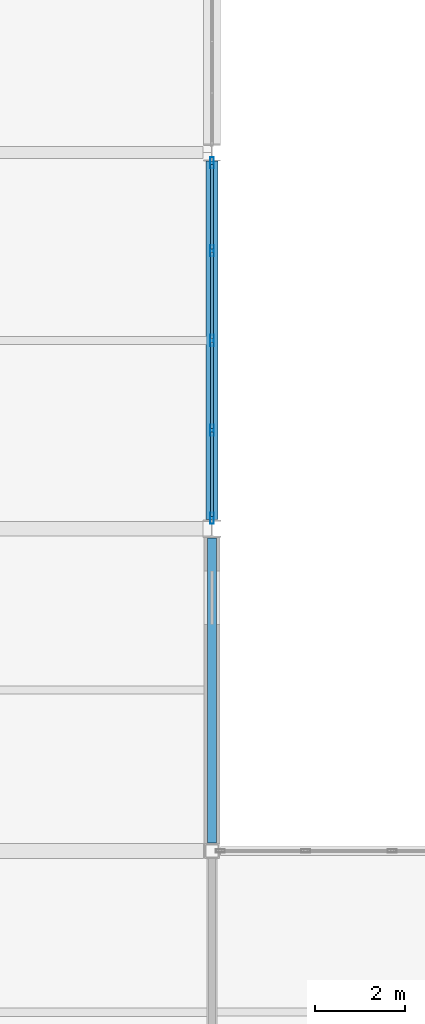
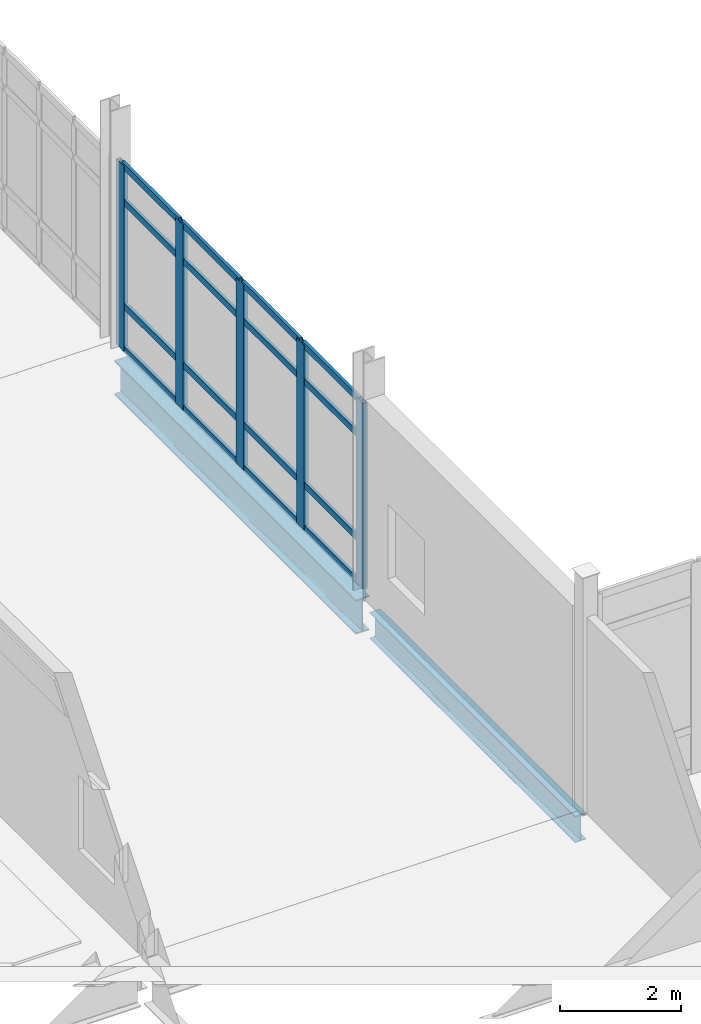
# One storey, part 51 of 186: 21 members, 2 beams, 1 element without a shape of its own.
"""IFC4 building model written with IfcOpenShell, lengths in metres."""

from ifc_helpers import new_model, si_unit, direction, frame, origin, origin_2d, place, context, subcontext, project, spatial, hollow_rectangle, i_section, extrude, material, layer, layer_set, material_profile, profile_set, type_object, element, aggregate, save


model = new_model("IFC4")

# Units and contexts
model_context = context("Model", 3, precision=1e-05, world=origin(), true_north=direction((0.0, 1.0)))
body_context = subcontext(model_context, "Body", "Model", "MODEL_VIEW")
ifc_project = project(units=[si_unit("LENGTHUNIT", "METRE"), si_unit("AREAUNIT", "SQUARE_METRE"), si_unit("VOLUMEUNIT", "CUBIC_METRE"), si_unit("PLANEANGLEUNIT", "RADIAN"), si_unit("MASSUNIT", "GRAM", prefix="KILO")], contexts=[model_context])

# Site, building, storey
site_placement = place(None, origin())
site = spatial("IfcSite", under=ifc_project, at=site_placement, CompositionType="ELEMENT")
building_placement = place(site_placement, origin())
building = spatial("IfcBuilding", under=site, at=building_placement, Name="Calvrana Isthmian Art Gallery", CompositionType="ELEMENT")
storey_placement = place(building_placement, frame((0.0, 0.0, 5.39990234375)))
storey = spatial("IfcBuildingStorey", under=building, at=storey_placement, Name="L01", CompositionType="ELEMENT", Elevation=5.39990234375)

# Beams
ifc_material_1 = material(Name="Steel ASTM A992 Gr 50", Category="steel")
ifc_material_profile_1 = material_profile(ifc_material_1, i_section(OverallWidth=0.208984375, OverallDepth=0.532958984375, WebThickness=0.01025390625, FlangeThickness=0.015625, FilletRadius=0.02099609375, at=origin_2d()), Name="W21X62")
ifc_profile_set_1 = profile_set([ifc_material_profile_1], Name="Steel ASTM A992 Gr 50")
beam_type_1 = type_object("IfcBeamType", Name="BM-G-W21X62", PredefinedType="BEAM", material=ifc_profile_set_1)
beam_1_placement = place(storey_placement, frame((80.39990234375, 14.58154296875, -0.511474609375), z_axis=(0.0, 1.0, 0.0), x_axis=(-1.0, 0.0, 0.0)))
element("IfcBeam", 1, at=beam_1_placement, inside=storey, type_object=beam_type_1, Name="Girder Y L01 11/C-D", PredefinedType="BEAM", context=body_context, shape_type="SweptSolid", body=[
    extrude(i_section(OverallWidth=0.208984375, OverallDepth=0.532958984375, WebThickness=0.01025390625, FlangeThickness=0.015625, FilletRadius=0.02099609375, at=origin_2d()), origin(), (0.0, 0.0, 1.0), 6.81005859375),
])
ifc_material_profile_2 = material_profile(ifc_material_1, i_section(OverallWidth=0.257080078125, OverallDepth=0.693115234375, WebThickness=0.014404296875, FlangeThickness=0.023681640625, FilletRadius=0.02392578125, at=origin_2d()), Name="W27X114")
ifc_profile_set_2 = profile_set([ifc_material_profile_2], Name="Steel ASTM A992 Gr 50")
beam_type_2 = type_object("IfcBeamType", Name="BM-G-W27X114", PredefinedType="BEAM", material=ifc_profile_set_2)
beam_2_placement = place(storey_placement, frame((80.39990234375, 21.80859375, -0.59130859375), z_axis=(0.0, 1.0, 0.0), x_axis=(-1.0, 0.0, 0.0)))
element("IfcBeam", 2, at=beam_2_placement, inside=storey, type_object=beam_type_2, Name="Girder Y L01 11/D-E", PredefinedType="BEAM", context=body_context, shape_type="SweptSolid", body=[
    extrude(i_section(OverallWidth=0.257080078125, OverallDepth=0.693115234375, WebThickness=0.014404296875, FlangeThickness=0.023681640625, FilletRadius=0.02392578125, at=origin_2d()), origin(), (0.0, 0.0, 1.0), 7.998291015625),
])

# Curtain wall, members
ifc_material_2 = material(Name="Anodized bronze aluminium 6063-T6", Category="aluminium")
ifc_layer = layer(ifc_material_2, 0.179931640625, Name="Anodized bronze aluminium 6063-T6")
ifc_layer_set = layer_set([ifc_layer], Name="Anodized bronze aluminium 6063-T6")
curtain_wall_type = type_object("IfcCurtainWallType", Name="CW-STICK-080X37", PredefinedType="NOTDEFINED", material=ifc_layer_set)
curtain_wall_placement = place(storey_placement, origin())
curtain_wall = element("IfcCurtainWall", 3, at=curtain_wall_placement, inside=storey, type_object=curtain_wall_type, Name="Curtain wall CW-131", PredefinedType="NOTDEFINED")
ifc_material_profile_3 = material_profile(ifc_material_2, hollow_rectangle(XDim=0.080078125, YDim=0.25, WallThickness=0.005615234375, at=origin_2d()), Name="CWM80X250")
ifc_profile_set_3 = profile_set([ifc_material_profile_3], Name="Anodized bronze aluminium 6063-T6")
member_type_1 = type_object("IfcMemberType", Name="CWM-CWM80X250", PredefinedType="MULLION", material=ifc_profile_set_3)
member_1_placement = place(storey_placement, frame((80.39990234375, 29.7734375, 0.0), z_axis=(0.0, 0.0, 1.0), x_axis=(1.0, 0.0, 0.0)))
member_1 = element("IfcMember", 4, at=member_1_placement, type_object=member_type_1, Name="CW-131 mullion 1", PredefinedType="MULLION", context=body_context, shape_type="SweptSolid", body=[
    extrude(hollow_rectangle(XDim=0.080078125, YDim=0.25, WallThickness=0.005615234375, at=origin_2d()), origin(), (0.0, 0.0, 1.0), 3.748046875),
])
member_2_placement = place(storey_placement, frame((80.39990234375, 27.808349609375, 0.0), z_axis=(0.0, 0.0, 1.0), x_axis=(1.0, 0.0, 0.0)))
member_2 = element("IfcMember", 5, at=member_2_placement, type_object=member_type_1, Name="CW-131 mullion 2", PredefinedType="MULLION", context=body_context, shape_type="SweptSolid", body=[
    extrude(hollow_rectangle(XDim=0.080078125, YDim=0.25, WallThickness=0.005615234375, at=origin_2d()), origin(), (0.0, 0.0, 1.0), 3.748046875),
])
member_3_placement = place(storey_placement, frame((80.39990234375, 25.80322265625, 0.0), z_axis=(0.0, 0.0, 1.0), x_axis=(1.0, 0.0, 0.0)))
member_3 = element("IfcMember", 6, at=member_3_placement, type_object=member_type_1, Name="CW-131 mullion 3", PredefinedType="MULLION", context=body_context, shape_type="SweptSolid", body=[
    extrude(hollow_rectangle(XDim=0.080078125, YDim=0.25, WallThickness=0.005615234375, at=origin_2d()), origin(), (0.0, 0.0, 1.0), 3.748046875),
])
member_4_placement = place(storey_placement, frame((80.39990234375, 23.798095703125, 0.0), z_axis=(0.0, 0.0, 1.0), x_axis=(1.0, 0.0, 0.0)))
member_4 = element("IfcMember", 7, at=member_4_placement, type_object=member_type_1, Name="CW-131 mullion 4", PredefinedType="MULLION", context=body_context, shape_type="SweptSolid", body=[
    extrude(hollow_rectangle(XDim=0.080078125, YDim=0.25, WallThickness=0.005615234375, at=origin_2d()), origin(), (0.0, 0.0, 1.0), 3.748046875),
])
member_5_placement = place(storey_placement, frame((80.39990234375, 21.8330078125, 0.0), z_axis=(0.0, 0.0, 1.0), x_axis=(1.0, 0.0, 0.0)))
member_5 = element("IfcMember", 8, at=member_5_placement, type_object=member_type_1, Name="CW-131 mullion 5", PredefinedType="MULLION", context=body_context, shape_type="SweptSolid", body=[
    extrude(hollow_rectangle(XDim=0.080078125, YDim=0.25, WallThickness=0.005615234375, at=origin_2d()), origin(), (0.0, 0.0, 1.0), 3.748046875),
])
ifc_material_profile_4 = material_profile(ifc_material_2, hollow_rectangle(XDim=0.06005859375, YDim=0.1298828125, WallThickness=0.00390625, at=origin_2d()), Name="CWT60X130")
ifc_profile_set_4 = profile_set([ifc_material_profile_4], Name="Anodized bronze aluminium 6063-T6")
member_type_2 = type_object("IfcMemberType", Name="CWT-CWT60X130", PredefinedType="USERDEFINED", material=ifc_profile_set_4)
member_6_placement = place(storey_placement, frame((80.39990234375, 29.7333984375, 0.030029296875), z_axis=(0.0, -1.0, 0.0), x_axis=(1.0, 0.0, 0.0)))
member_6 = element("IfcMember", 9, at=member_6_placement, type_object=member_type_2, Name="CW-131 transom 1.1", ObjectType="TRANSOM", PredefinedType="USERDEFINED", context=body_context, shape_type="SweptSolid", body=[
    extrude(hollow_rectangle(XDim=0.06005859375, YDim=0.1298828125, WallThickness=0.00390625, at=origin_2d()), origin(), (0.0, 0.0, 1.0), 1.885009765625),
])
member_7_placement = place(storey_placement, frame((80.39990234375, 29.7333984375, 0.900146484375), z_axis=(0.0, -1.0, 0.0), x_axis=(1.0, 0.0, 0.0)))
member_7 = element("IfcMember", 10, at=member_7_placement, type_object=member_type_2, Name="CW-131 transom 1.2", ObjectType="TRANSOM", PredefinedType="USERDEFINED", context=body_context, shape_type="SweptSolid", body=[
    extrude(hollow_rectangle(XDim=0.06005859375, YDim=0.1298828125, WallThickness=0.00390625, at=origin_2d()), origin(), (0.0, 0.0, 1.0), 1.885009765625),
])
member_8_placement = place(storey_placement, frame((80.39990234375, 29.7333984375, 2.998046875), z_axis=(0.0, -1.0, 0.0), x_axis=(1.0, 0.0, 0.0)))
member_8 = element("IfcMember", 11, at=member_8_placement, type_object=member_type_2, Name="CW-131 transom 1.3", ObjectType="TRANSOM", PredefinedType="USERDEFINED", context=body_context, shape_type="SweptSolid", body=[
    extrude(hollow_rectangle(XDim=0.06005859375, YDim=0.1298828125, WallThickness=0.00390625, at=origin_2d()), origin(), (0.0, 0.0, 1.0), 1.885009765625),
])
member_9_placement = place(storey_placement, frame((80.39990234375, 29.7333984375, 3.718017578125), z_axis=(0.0, -1.0, 0.0), x_axis=(1.0, 0.0, 0.0)))
member_9 = element("IfcMember", 12, at=member_9_placement, type_object=member_type_2, Name="CW-131 transom 1.4", ObjectType="TRANSOM", PredefinedType="USERDEFINED", context=body_context, shape_type="SweptSolid", body=[
    extrude(hollow_rectangle(XDim=0.06005859375, YDim=0.1298828125, WallThickness=0.00390625, at=origin_2d()), origin(), (0.0, 0.0, 1.0), 1.885009765625),
])
member_10_placement = place(storey_placement, frame((80.39990234375, 27.768310546875, 0.030029296875), z_axis=(0.0, -1.0, 0.0), x_axis=(1.0, 0.0, 0.0)))
member_10 = element("IfcMember", 13, at=member_10_placement, type_object=member_type_2, Name="CW-131 transom 2.1", ObjectType="TRANSOM", PredefinedType="USERDEFINED", context=body_context, shape_type="SweptSolid", body=[
    extrude(hollow_rectangle(XDim=0.06005859375, YDim=0.1298828125, WallThickness=0.00390625, at=origin_2d()), origin(), (0.0, 0.0, 1.0), 1.925048828125),
])
member_11_placement = place(storey_placement, frame((80.39990234375, 27.768310546875, 0.900146484375), z_axis=(0.0, -1.0, 0.0), x_axis=(1.0, 0.0, 0.0)))
member_11 = element("IfcMember", 14, at=member_11_placement, type_object=member_type_2, Name="CW-131 transom 2.2", ObjectType="TRANSOM", PredefinedType="USERDEFINED", context=body_context, shape_type="SweptSolid", body=[
    extrude(hollow_rectangle(XDim=0.06005859375, YDim=0.1298828125, WallThickness=0.00390625, at=origin_2d()), origin(), (0.0, 0.0, 1.0), 1.925048828125),
])
member_12_placement = place(storey_placement, frame((80.39990234375, 27.768310546875, 2.998046875), z_axis=(0.0, -1.0, 0.0), x_axis=(1.0, 0.0, 0.0)))
member_12 = element("IfcMember", 15, at=member_12_placement, type_object=member_type_2, Name="CW-131 transom 2.3", ObjectType="TRANSOM", PredefinedType="USERDEFINED", context=body_context, shape_type="SweptSolid", body=[
    extrude(hollow_rectangle(XDim=0.06005859375, YDim=0.1298828125, WallThickness=0.00390625, at=origin_2d()), origin(), (0.0, 0.0, 1.0), 1.925048828125),
])
member_13_placement = place(storey_placement, frame((80.39990234375, 27.768310546875, 3.718017578125), z_axis=(0.0, -1.0, 0.0), x_axis=(1.0, 0.0, 0.0)))
member_13 = element("IfcMember", 16, at=member_13_placement, type_object=member_type_2, Name="CW-131 transom 2.4", ObjectType="TRANSOM", PredefinedType="USERDEFINED", context=body_context, shape_type="SweptSolid", body=[
    extrude(hollow_rectangle(XDim=0.06005859375, YDim=0.1298828125, WallThickness=0.00390625, at=origin_2d()), origin(), (0.0, 0.0, 1.0), 1.925048828125),
])
member_14_placement = place(storey_placement, frame((80.39990234375, 25.76318359375, 0.030029296875), z_axis=(0.0, -1.0, 0.0), x_axis=(1.0, 0.0, 0.0)))
member_14 = element("IfcMember", 17, at=member_14_placement, type_object=member_type_2, Name="CW-131 transom 3.1", ObjectType="TRANSOM", PredefinedType="USERDEFINED", context=body_context, shape_type="SweptSolid", body=[
    extrude(hollow_rectangle(XDim=0.06005859375, YDim=0.1298828125, WallThickness=0.00390625, at=origin_2d()), origin(), (0.0, 0.0, 1.0), 1.925048828125),
])
member_15_placement = place(storey_placement, frame((80.39990234375, 25.76318359375, 0.900146484375), z_axis=(0.0, -1.0, 0.0), x_axis=(1.0, 0.0, 0.0)))
member_15 = element("IfcMember", 18, at=member_15_placement, type_object=member_type_2, Name="CW-131 transom 3.2", ObjectType="TRANSOM", PredefinedType="USERDEFINED", context=body_context, shape_type="SweptSolid", body=[
    extrude(hollow_rectangle(XDim=0.06005859375, YDim=0.1298828125, WallThickness=0.00390625, at=origin_2d()), origin(), (0.0, 0.0, 1.0), 1.925048828125),
])
member_16_placement = place(storey_placement, frame((80.39990234375, 25.76318359375, 2.998046875), z_axis=(0.0, -1.0, 0.0), x_axis=(1.0, 0.0, 0.0)))
member_16 = element("IfcMember", 19, at=member_16_placement, type_object=member_type_2, Name="CW-131 transom 3.3", ObjectType="TRANSOM", PredefinedType="USERDEFINED", context=body_context, shape_type="SweptSolid", body=[
    extrude(hollow_rectangle(XDim=0.06005859375, YDim=0.1298828125, WallThickness=0.00390625, at=origin_2d()), origin(), (0.0, 0.0, 1.0), 1.925048828125),
])
member_17_placement = place(storey_placement, frame((80.39990234375, 25.76318359375, 3.718017578125), z_axis=(0.0, -1.0, 0.0), x_axis=(1.0, 0.0, 0.0)))
member_17 = element("IfcMember", 20, at=member_17_placement, type_object=member_type_2, Name="CW-131 transom 3.4", ObjectType="TRANSOM", PredefinedType="USERDEFINED", context=body_context, shape_type="SweptSolid", body=[
    extrude(hollow_rectangle(XDim=0.06005859375, YDim=0.1298828125, WallThickness=0.00390625, at=origin_2d()), origin(), (0.0, 0.0, 1.0), 1.925048828125),
])
member_18_placement = place(storey_placement, frame((80.39990234375, 23.758056640625, 0.030029296875), z_axis=(0.0, -1.0, 0.0), x_axis=(1.0, 0.0, 0.0)))
member_18 = element("IfcMember", 21, at=member_18_placement, type_object=member_type_2, Name="CW-131 transom 4.1", ObjectType="TRANSOM", PredefinedType="USERDEFINED", context=body_context, shape_type="SweptSolid", body=[
    extrude(hollow_rectangle(XDim=0.06005859375, YDim=0.1298828125, WallThickness=0.00390625, at=origin_2d()), origin(), (0.0, 0.0, 1.0), 1.885009765625),
])
member_19_placement = place(storey_placement, frame((80.39990234375, 23.758056640625, 0.900146484375), z_axis=(0.0, -1.0, 0.0), x_axis=(1.0, 0.0, 0.0)))
member_19 = element("IfcMember", 22, at=member_19_placement, type_object=member_type_2, Name="CW-131 transom 4.2", ObjectType="TRANSOM", PredefinedType="USERDEFINED", context=body_context, shape_type="SweptSolid", body=[
    extrude(hollow_rectangle(XDim=0.06005859375, YDim=0.1298828125, WallThickness=0.00390625, at=origin_2d()), origin(), (0.0, 0.0, 1.0), 1.885009765625),
])
member_20_placement = place(storey_placement, frame((80.39990234375, 23.758056640625, 2.998046875), z_axis=(0.0, -1.0, 0.0), x_axis=(1.0, 0.0, 0.0)))
member_20 = element("IfcMember", 23, at=member_20_placement, type_object=member_type_2, Name="CW-131 transom 4.3", ObjectType="TRANSOM", PredefinedType="USERDEFINED", context=body_context, shape_type="SweptSolid", body=[
    extrude(hollow_rectangle(XDim=0.06005859375, YDim=0.1298828125, WallThickness=0.00390625, at=origin_2d()), origin(), (0.0, 0.0, 1.0), 1.885009765625),
])
member_21_placement = place(storey_placement, frame((80.39990234375, 23.758056640625, 3.718017578125), z_axis=(0.0, -1.0, 0.0), x_axis=(1.0, 0.0, 0.0)))
member_21 = element("IfcMember", 24, at=member_21_placement, type_object=member_type_2, Name="CW-131 transom 4.4", ObjectType="TRANSOM", PredefinedType="USERDEFINED", context=body_context, shape_type="SweptSolid", body=[
    extrude(hollow_rectangle(XDim=0.06005859375, YDim=0.1298828125, WallThickness=0.00390625, at=origin_2d()), origin(), (0.0, 0.0, 1.0), 1.885009765625),
])
aggregate(curtain_wall, [member_1, member_2, member_3, member_4, member_5, member_6, member_7, member_8, member_9, member_10, member_11, member_12, member_13, member_14, member_15, member_16, member_17, member_18, member_19, member_20, member_21])

save(model, "model.ifc")
